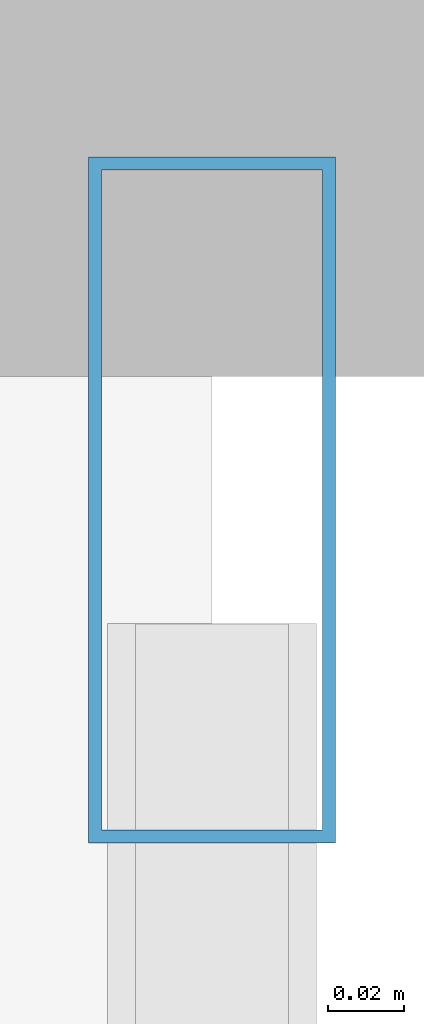
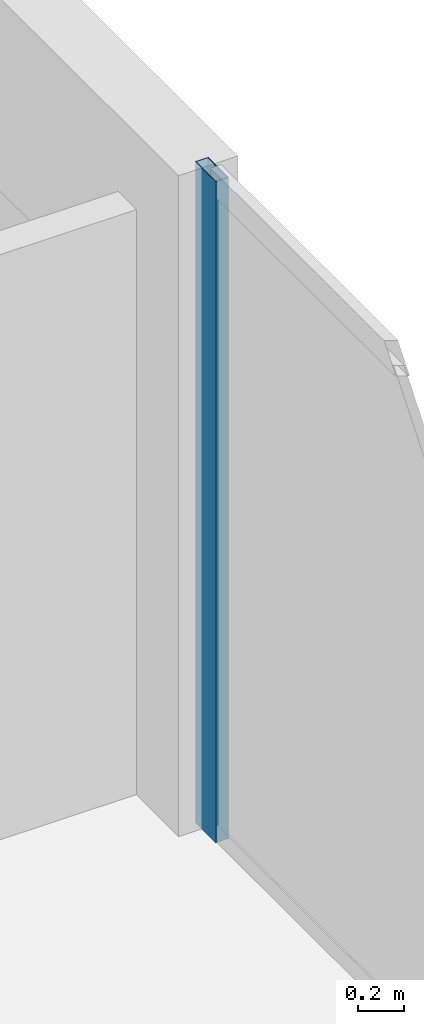
# One storey, part 22 of 32: 1 member, 1 element without a shape of its own.
"""IFC4 building model written with IfcOpenShell, lengths in metres."""

from ifc_helpers import new_model, si_unit, direction, frame, origin, origin_2d, place, context, subcontext, project, spatial, hollow_rectangle, extrude, material, layer, layer_set, material_profile, profile_set, type_object, element, aggregate, save


model = new_model("IFC4")

# Units and contexts
model_context = context("Model", 3, precision=1e-05, world=origin(), true_north=direction((0.0, 1.0)))
body_context = subcontext(model_context, "Body", "Model", "MODEL_VIEW")
ifc_project = project(units=[si_unit("LENGTHUNIT", "METRE"), si_unit("AREAUNIT", "SQUARE_METRE"), si_unit("VOLUMEUNIT", "CUBIC_METRE"), si_unit("PLANEANGLEUNIT", "RADIAN"), si_unit("MASSUNIT", "GRAM", prefix="KILO")], contexts=[model_context])

# Site, building, storey
site_placement = place(None, origin())
site = spatial("IfcSite", under=ifc_project, at=site_placement, CompositionType="ELEMENT")
building_placement = place(site_placement, origin())
building = spatial("IfcBuilding", under=site, at=building_placement, Name="Zuhayl Quay Hotel", CompositionType="ELEMENT")
storey_placement = place(building_placement, frame((0.0, 0.0, 218.64990234375)))
storey = spatial("IfcBuildingStorey", under=building, at=storey_placement, Name="L55", CompositionType="ELEMENT", Elevation=218.64990234375)

# Curtain wall, member
ifc_material_1 = material(Name="Anodised Aluminium 6063-T6", Category="aluminium")
ifc_layer = layer(ifc_material_1, 0.175048828125, Name="Anodised Aluminium 6063-T6", Category="aluminium")
ifc_layer_set = layer_set([ifc_layer], Name="Anodised Aluminium 6063-T6")
curtain_wall_type = type_object("IfcCurtainWallType", Name="CW_SYS_Z3", PredefinedType="USERDEFINED", material=ifc_layer_set)
curtain_wall_placement = place(storey_placement, origin())
curtain_wall = element("IfcCurtainWall", 1, at=curtain_wall_placement, inside=storey, type_object=curtain_wall_type, Name="L55 Curtain Wall ENV_L55_E11_CW1", ObjectType="UNITISED CURTAIN WALL", PredefinedType="USERDEFINED")
ifc_material_2 = material(Name="Black-anodised aluminium 6063-T6", Category="aluminium")
ifc_material_profile = material_profile(ifc_material_2, hollow_rectangle(XDim=0.06494140625, YDim=0.179931640625, WallThickness=0.00341796875, at=origin_2d()), Name="ALU180X65")
ifc_profile_set = profile_set([ifc_material_profile], Name="Black-anodised aluminium 6063-T6")
member_type = type_object("IfcMemberType", Name="MB_CW_MUL_180", PredefinedType="MULLION", material=ifc_profile_set)
member_placement = place(storey_placement, frame((22.10009765625, 24.517578125, 0.0), z_axis=(0.0, 0.0, 1.0), x_axis=(1.0, 0.0, 0.0)))
member = element("IfcMember", 2, at=member_placement, type_object=member_type, Name="CW-Z3 mullion 1", PredefinedType="MULLION", context=body_context, shape_type="SweptSolid", body=[
    extrude(hollow_rectangle(XDim=0.06494140625, YDim=0.179931640625, WallThickness=0.00341796875, at=origin_2d()), origin(), (0.0, 0.0, 1.0), 3.530029296875),
])
aggregate(curtain_wall, [member])

save(model, "model.ifc")
